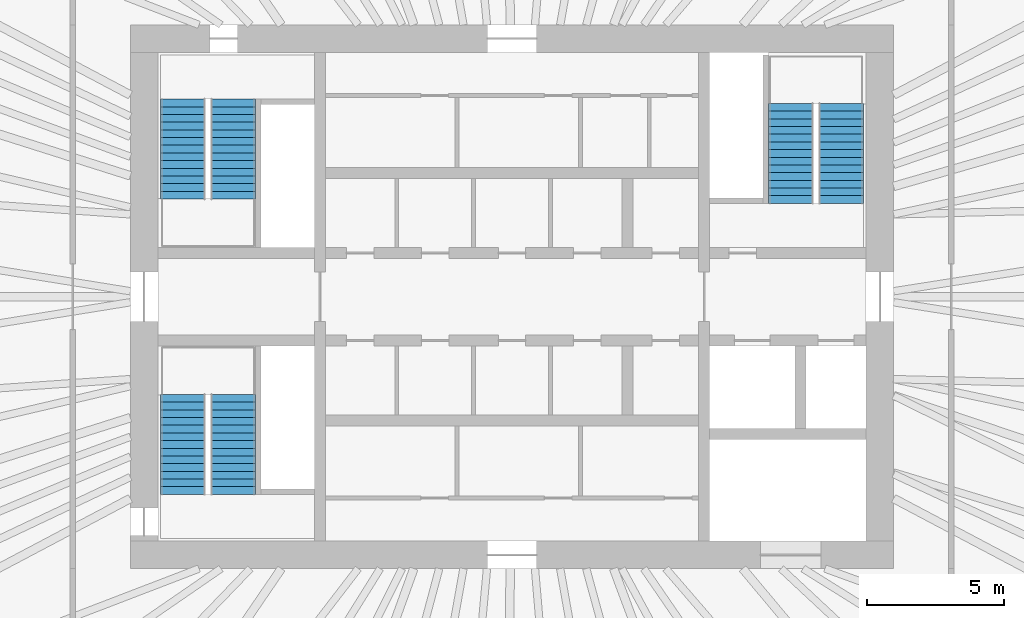
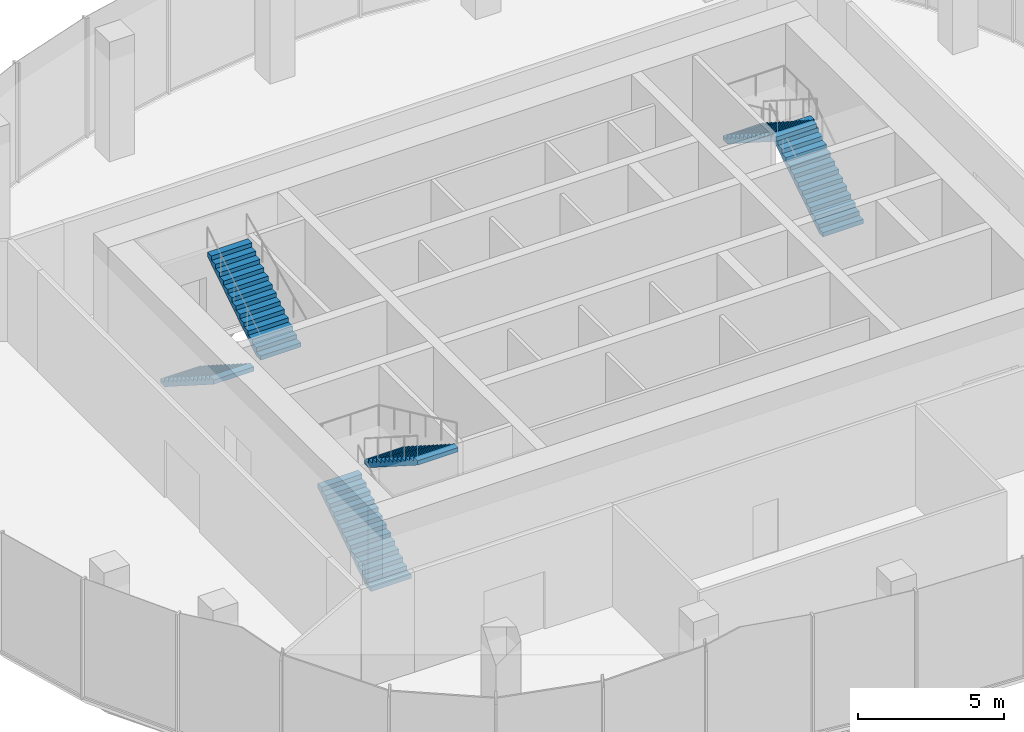
# One storey, part 10 of 11: 6 stair flights, 3 elements without a shape of their own.
"""IFC4 building model written with IfcOpenShell, lengths in metres."""

from ifc_helpers import new_model, si_unit, direction, frame, origin, place, context, subcontext, project, spatial, polyline, outline, extrude, material, type_object, element, aggregate, save


model = new_model("IFC4")

# Units and contexts
model_context = context("Model", 3, precision=1e-05, world=origin(), true_north=direction((0.0, 1.0)))
body_context = subcontext(model_context, "Body", "Model", "MODEL_VIEW")
ifc_project = project(units=[si_unit("LENGTHUNIT", "METRE"), si_unit("AREAUNIT", "SQUARE_METRE"), si_unit("VOLUMEUNIT", "CUBIC_METRE"), si_unit("PLANEANGLEUNIT", "RADIAN"), si_unit("MASSUNIT", "GRAM", prefix="KILO")], contexts=[model_context])

# Site, building, storey
site_placement = place(None, origin())
site = spatial("IfcSite", under=ifc_project, at=site_placement, CompositionType="ELEMENT")
building_placement = place(site_placement, origin())
building = spatial("IfcBuilding", under=site, at=building_placement, Name="Ghaith Harvest Tower", CompositionType="ELEMENT")
storey_placement = place(building_placement, frame((0.0, 0.0, 344.199951171875)))
storey = spatial("IfcBuildingStorey", under=building, at=storey_placement, Name="L77", CompositionType="ELEMENT", Elevation=344.199951171875)

# Stair, stair flights
ifc_material_1 = material(Name="Concrete C40/50, precast", Category="concrete")
stair_type = type_object("IfcStairType", Name="CORE STAIR 28R", PredefinedType="HALF_TURN_STAIR", material=ifc_material_1)
stair_1_placement = place(storey_placement, origin())
stair_1 = element("IfcStair", 1, at=stair_1_placement, inside=storey, type_object=stair_type, Name="Stair ST1 L77", PredefinedType="HALF_TURN_STAIR")
ifc_material_2 = material(Name="Concrete C40/50, precast", Category="concrete")
stair_flight_type = type_object("IfcStairFlightType", Name="CORE FLIGHT 14R 1600", PredefinedType="STRAIGHT", material=ifc_material_2)
stair_flight_1_placement = place(storey_placement, frame((-12.0, 7.199951171875, 0.0), z_axis=(0.0, 0.0, 1.0), x_axis=(0.0, -1.0, 0.0)))
stair_flight_1 = element("IfcStairFlight", 2, at=stair_flight_1_placement, type_object=stair_flight_type, Name="ST1 flight 1", NumberOfRisers=14, NumberOfTreads=13, PredefinedType="STRAIGHT", RiserHeight=0.178571429, TreadLength=0.28, context=body_context, shape_type="SweptSolid", body=[
    extrude(outline(polyline([(0.0, 0.0), (0.0, 0.178466796875), (0.280029296875, 0.178466796875), (0.280029296875, 0.357177734375), (0.56005859375, 0.357177734375), (0.56005859375, 0.53564453125), (0.840087890625, 0.53564453125), (0.840087890625, 0.71435546875), (1.1201171875, 0.71435546875), (1.1201171875, 0.892822265625), (1.39990234375, 0.892822265625), (1.39990234375, 1.071533203125), (1.679931640625, 1.071533203125), (1.679931640625, 1.25), (1.9599609375, 1.25), (1.9599609375, 1.428466796875), (2.239990234375, 1.428466796875), (2.239990234375, 1.607177734375), (2.52001953125, 1.607177734375), (2.52001953125, 1.78564453125), (2.800048828125, 1.78564453125), (2.800048828125, 1.96435546875), (3.080078125, 1.96435546875), (3.080078125, 2.142822265625), (3.360107421875, 2.142822265625), (3.360107421875, 2.321533203125), (3.639892578125, 2.321533203125), (3.639892578125, 2.5), (3.639892578125, 2.1435546875), (0.27880859375, 0.0), (0.0, 0.0)])), frame((0.0, 0.800048828125, 0.0), z_axis=(0.0, -1.0, 0.0), x_axis=(1.0, 0.0, 0.0)), (0.0, 0.0, 1.0), 1.60009765625),
])
stair_flight_2_placement = place(storey_placement, frame((-10.14990234375, 3.56005859375, 2.5), z_axis=(0.0, 0.0, 1.0), x_axis=(0.0, 1.0, 0.0)))
stair_flight_2 = element("IfcStairFlight", 3, at=stair_flight_2_placement, type_object=stair_flight_type, Name="ST1 flight 2", NumberOfRisers=14, NumberOfTreads=13, PredefinedType="STRAIGHT", RiserHeight=0.178571429, TreadLength=0.28, context=body_context, shape_type="SweptSolid", body=[
    extrude(outline(polyline([(0.0, 0.0), (0.0, 0.178466796875), (0.280029296875, 0.178466796875), (0.280029296875, 0.357177734375), (0.56005859375, 0.357177734375), (0.56005859375, 0.53564453125), (0.840087890625, 0.53564453125), (0.840087890625, 0.71435546875), (1.1201171875, 0.71435546875), (1.1201171875, 0.892822265625), (1.39990234375, 0.892822265625), (1.39990234375, 1.071533203125), (1.679931640625, 1.071533203125), (1.679931640625, 1.25), (1.9599609375, 1.25), (1.9599609375, 1.428466796875), (2.239990234375, 1.428466796875), (2.239990234375, 1.607177734375), (2.52001953125, 1.607177734375), (2.52001953125, 1.78564453125), (2.800048828125, 1.78564453125), (2.800048828125, 1.96435546875), (3.080078125, 1.96435546875), (3.080078125, 2.142822265625), (3.360107421875, 2.142822265625), (3.360107421875, 2.321533203125), (3.639892578125, 2.321533203125), (3.639892578125, 2.5), (3.639892578125, 2.1435546875), (0.27880859375, 0.0), (0.0, 0.0)])), frame((0.0, 0.800048828125, 0.0), z_axis=(0.0, -1.0, 0.0), x_axis=(1.0, 0.0, 0.0)), (0.0, 0.0, 1.0), 1.60009765625),
])
aggregate(stair_1, [stair_flight_1, stair_flight_2])

stair_2_placement = place(storey_placement, origin())
stair_2 = element("IfcStair", 4, at=stair_2_placement, inside=storey, type_object=stair_type, Name="Stair ST3 L77", PredefinedType="HALF_TURN_STAIR")
stair_flight_3_placement = place(storey_placement, frame((-12.0, -7.199951171875, 0.0), z_axis=(0.0, 0.0, 1.0), x_axis=(0.0, 1.0, 0.0)))
stair_flight_3 = element("IfcStairFlight", 5, at=stair_flight_3_placement, type_object=stair_flight_type, Name="ST3 flight 1", NumberOfRisers=14, NumberOfTreads=13, PredefinedType="STRAIGHT", RiserHeight=0.178571429, TreadLength=0.28, context=body_context, shape_type="SweptSolid", body=[
    extrude(outline(polyline([(0.0, 0.0), (0.0, 0.178466796875), (0.280029296875, 0.178466796875), (0.280029296875, 0.357177734375), (0.56005859375, 0.357177734375), (0.56005859375, 0.53564453125), (0.840087890625, 0.53564453125), (0.840087890625, 0.71435546875), (1.1201171875, 0.71435546875), (1.1201171875, 0.892822265625), (1.39990234375, 0.892822265625), (1.39990234375, 1.071533203125), (1.679931640625, 1.071533203125), (1.679931640625, 1.25), (1.9599609375, 1.25), (1.9599609375, 1.428466796875), (2.239990234375, 1.428466796875), (2.239990234375, 1.607177734375), (2.52001953125, 1.607177734375), (2.52001953125, 1.78564453125), (2.800048828125, 1.78564453125), (2.800048828125, 1.96435546875), (3.080078125, 1.96435546875), (3.080078125, 2.142822265625), (3.360107421875, 2.142822265625), (3.360107421875, 2.321533203125), (3.639892578125, 2.321533203125), (3.639892578125, 2.5), (3.639892578125, 2.1435546875), (0.27880859375, 0.0), (0.0, 0.0)])), frame((0.0, 0.800048828125, 0.0), z_axis=(0.0, -1.0, 0.0), x_axis=(1.0, 0.0, 0.0)), (0.0, 0.0, 1.0), 1.60009765625),
])
stair_flight_4_placement = place(storey_placement, frame((-10.14990234375, -3.56005859375, 2.5), z_axis=(0.0, 0.0, 1.0), x_axis=(0.0, -1.0, 0.0)))
stair_flight_4 = element("IfcStairFlight", 6, at=stair_flight_4_placement, type_object=stair_flight_type, Name="ST3 flight 2", NumberOfRisers=14, NumberOfTreads=13, PredefinedType="STRAIGHT", RiserHeight=0.178571429, TreadLength=0.28, context=body_context, shape_type="SweptSolid", body=[
    extrude(outline(polyline([(0.0, 0.0), (0.0, 0.178466796875), (0.280029296875, 0.178466796875), (0.280029296875, 0.357177734375), (0.56005859375, 0.357177734375), (0.56005859375, 0.53564453125), (0.840087890625, 0.53564453125), (0.840087890625, 0.71435546875), (1.1201171875, 0.71435546875), (1.1201171875, 0.892822265625), (1.39990234375, 0.892822265625), (1.39990234375, 1.071533203125), (1.679931640625, 1.071533203125), (1.679931640625, 1.25), (1.9599609375, 1.25), (1.9599609375, 1.428466796875), (2.239990234375, 1.428466796875), (2.239990234375, 1.607177734375), (2.52001953125, 1.607177734375), (2.52001953125, 1.78564453125), (2.800048828125, 1.78564453125), (2.800048828125, 1.96435546875), (3.080078125, 1.96435546875), (3.080078125, 2.142822265625), (3.360107421875, 2.142822265625), (3.360107421875, 2.321533203125), (3.639892578125, 2.321533203125), (3.639892578125, 2.5), (3.639892578125, 2.1435546875), (0.27880859375, 0.0), (0.0, 0.0)])), frame((0.0, 0.800048828125, 0.0), z_axis=(0.0, -1.0, 0.0), x_axis=(1.0, 0.0, 0.0)), (0.0, 0.0, 1.0), 1.60009765625),
])
aggregate(stair_2, [stair_flight_3, stair_flight_4])

stair_3_placement = place(storey_placement, origin())
stair_3 = element("IfcStair", 7, at=stair_3_placement, inside=storey, type_object=stair_type, Name="Stair ST2 L77", PredefinedType="HALF_TURN_STAIR")
stair_flight_5_placement = place(storey_placement, frame((12.0, 3.39990234375, 0.0), z_axis=(0.0, 0.0, 1.0), x_axis=(0.0, 1.0, 0.0)))
stair_flight_5 = element("IfcStairFlight", 8, at=stair_flight_5_placement, type_object=stair_flight_type, Name="ST2 flight 1", NumberOfRisers=14, NumberOfTreads=13, PredefinedType="STRAIGHT", RiserHeight=0.178571429, TreadLength=0.28, context=body_context, shape_type="SweptSolid", body=[
    extrude(outline(polyline([(0.0, 0.0), (0.0, 0.178466796875), (0.280029296875, 0.178466796875), (0.280029296875, 0.357177734375), (0.56005859375, 0.357177734375), (0.56005859375, 0.53564453125), (0.840087890625, 0.53564453125), (0.840087890625, 0.71435546875), (1.1201171875, 0.71435546875), (1.1201171875, 0.892822265625), (1.39990234375, 0.892822265625), (1.39990234375, 1.071533203125), (1.679931640625, 1.071533203125), (1.679931640625, 1.25), (1.9599609375, 1.25), (1.9599609375, 1.428466796875), (2.239990234375, 1.428466796875), (2.239990234375, 1.607177734375), (2.52001953125, 1.607177734375), (2.52001953125, 1.78564453125), (2.800048828125, 1.78564453125), (2.800048828125, 1.96435546875), (3.080078125, 1.96435546875), (3.080078125, 2.142822265625), (3.360107421875, 2.142822265625), (3.360107421875, 2.321533203125), (3.639892578125, 2.321533203125), (3.639892578125, 2.5), (3.639892578125, 2.1435546875), (0.27880859375, 0.0), (0.0, 0.0)])), frame((0.0, 0.800048828125, 0.0), z_axis=(0.0, -1.0, 0.0), x_axis=(1.0, 0.0, 0.0)), (0.0, 0.0, 1.0), 1.60009765625),
])
stair_flight_6_placement = place(storey_placement, frame((10.14990234375, 7.0400390625, 2.5), z_axis=(0.0, 0.0, 1.0), x_axis=(0.0, -1.0, 0.0)))
stair_flight_6 = element("IfcStairFlight", 9, at=stair_flight_6_placement, type_object=stair_flight_type, Name="ST2 flight 2", NumberOfRisers=14, NumberOfTreads=13, PredefinedType="STRAIGHT", RiserHeight=0.178571429, TreadLength=0.28, context=body_context, shape_type="SweptSolid", body=[
    extrude(outline(polyline([(0.0, 0.0), (0.0, 0.178466796875), (0.280029296875, 0.178466796875), (0.280029296875, 0.357177734375), (0.56005859375, 0.357177734375), (0.56005859375, 0.53564453125), (0.840087890625, 0.53564453125), (0.840087890625, 0.71435546875), (1.1201171875, 0.71435546875), (1.1201171875, 0.892822265625), (1.39990234375, 0.892822265625), (1.39990234375, 1.071533203125), (1.679931640625, 1.071533203125), (1.679931640625, 1.25), (1.9599609375, 1.25), (1.9599609375, 1.428466796875), (2.239990234375, 1.428466796875), (2.239990234375, 1.607177734375), (2.52001953125, 1.607177734375), (2.52001953125, 1.78564453125), (2.800048828125, 1.78564453125), (2.800048828125, 1.96435546875), (3.080078125, 1.96435546875), (3.080078125, 2.142822265625), (3.360107421875, 2.142822265625), (3.360107421875, 2.321533203125), (3.639892578125, 2.321533203125), (3.639892578125, 2.5), (3.639892578125, 2.1435546875), (0.27880859375, 0.0), (0.0, 0.0)])), frame((0.0, 0.800048828125, 0.0), z_axis=(0.0, -1.0, 0.0), x_axis=(1.0, 0.0, 0.0)), (0.0, 0.0, 1.0), 1.60009765625),
])
aggregate(stair_3, [stair_flight_5, stair_flight_6])

save(model, "model.ifc")
